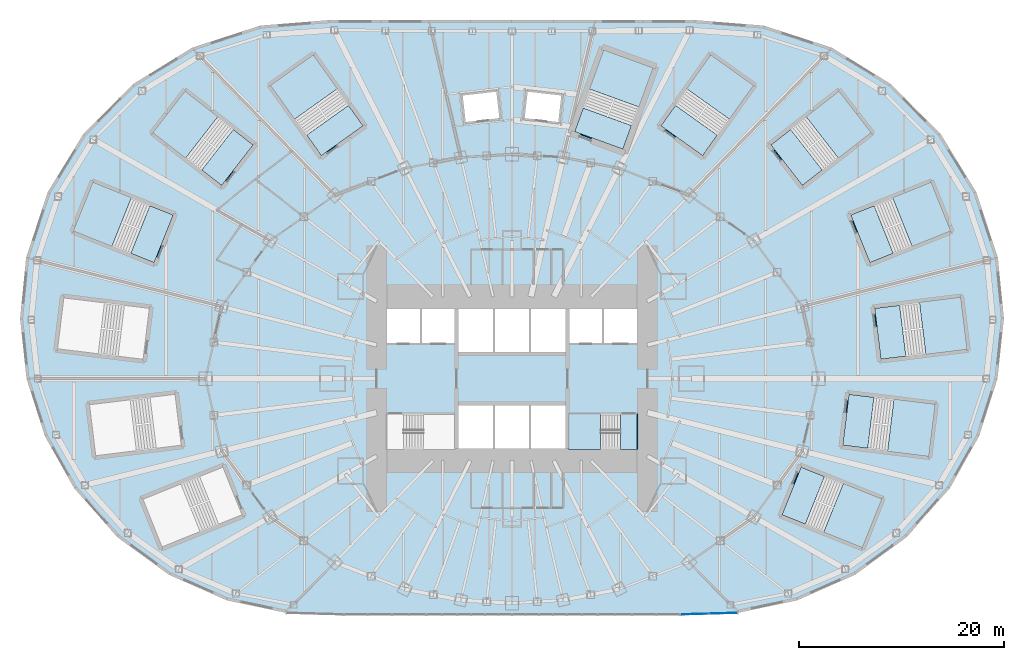
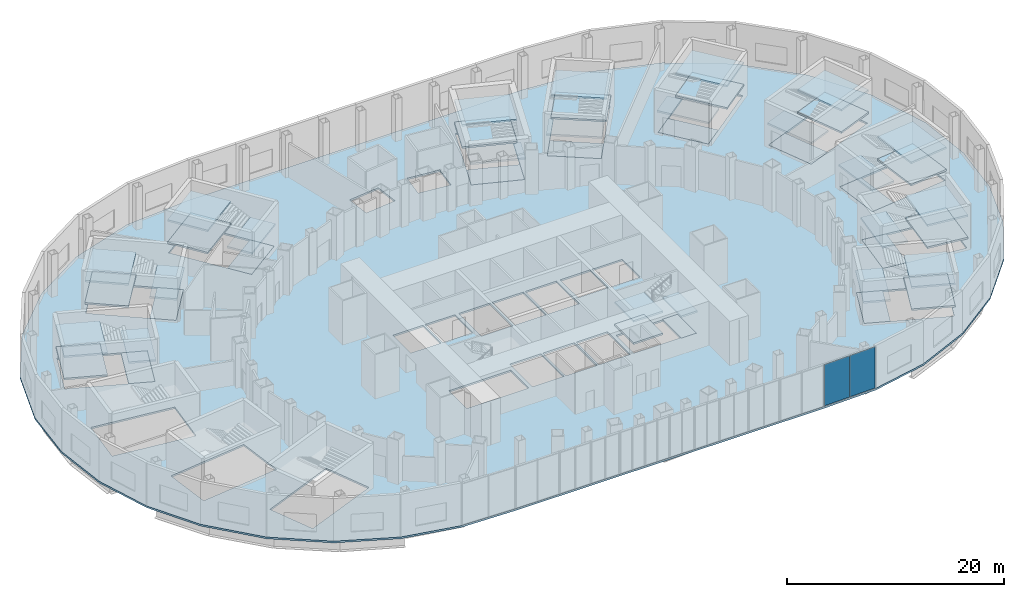
# One storey, part 12 of 73: 45 slabs, 2 plates, 12 elements without a shape of their own.
"""IFC4 building model written with IfcOpenShell, lengths in metres."""

from ifc_helpers import new_model, si_unit, direction, frame, origin, origin_2d, place, context, subcontext, project, spatial, polyline, rectangle, outline, extrude, material, layer, layer_set, type_object, element, aggregate, save


model = new_model("IFC4")

# Units and contexts
model_context = context("Model", 3, precision=1e-05, world=origin(), true_north=direction((0.0, 1.0)))
body_context = subcontext(model_context, "Body", "Model", "MODEL_VIEW")
ifc_project = project(units=[si_unit("LENGTHUNIT", "METRE"), si_unit("AREAUNIT", "SQUARE_METRE"), si_unit("VOLUMEUNIT", "CUBIC_METRE"), si_unit("PLANEANGLEUNIT", "RADIAN"), si_unit("MASSUNIT", "GRAM", prefix="KILO")], contexts=[model_context])

# Site, building, storey
site_placement = place(None, origin())
site = spatial("IfcSite", under=ifc_project, at=site_placement, CompositionType="ELEMENT")
building_placement = place(site_placement, origin())
building = spatial("IfcBuilding", under=site, at=building_placement, Name="Lantaw Convention Tower", CompositionType="ELEMENT")
storey_placement = place(building_placement, frame((0.0, 0.0, 27.0)))
storey = spatial("IfcBuildingStorey", under=building, at=storey_placement, Name="L04", CompositionType="ELEMENT", Elevation=27.0)

# Curtain wall, plates
ifc_material_1 = material(Name="Aluminium framed curtain wall", Category="aluminium")
curtain_wall_type = type_object("IfcCurtainWallType", Name="Podium storefront curtain wall, pale aluminium", PredefinedType="USERDEFINED", material=ifc_material_1)
curtain_wall_placement = place(storey_placement, origin())
curtain_wall = element("IfcCurtainWall", 1, at=curtain_wall_placement, inside=storey, type_object=curtain_wall_type, Name="Podium storefront curtain wall, pale aluminium L04", ObjectType="STOREFRONT", PredefinedType="USERDEFINED")
ifc_material_2 = material(Name="Laminated clear glass", Category="glass")
ifc_layer_1 = layer(ifc_material_2, 0.031982421875)
ifc_layer_set_1 = layer_set([ifc_layer_1], Name="CW-P panel 32")
plate_type = type_object("IfcPlateType", Name="CW-P panel 32", PredefinedType="CURTAIN_PANEL", material=ifc_layer_set_1)
plate_1_placement = place(storey_placement, frame((17.838134765625, -22.958984375, 0.080078125), z_axis=(0.0, 0.0, 1.0), x_axis=(0.99959230263, 0.028552206976, 0.0)))
plate_1 = element("IfcPlate", 2, at=plate_1_placement, type_object=plate_type, Name="CW-P panel 1.1", PredefinedType="CURTAIN_PANEL", context=body_context, shape_type="SweptSolid", body=[
    extrude(rectangle(XDim=2.705810546875, YDim=0.031982421875, at=origin_2d()), origin(), (0.0, 0.0, 1.0), 4.639892578125),
])
plate_2_placement = place(storey_placement, frame((20.622802734375, -22.879638671875, 0.080078125), z_axis=(0.0, 0.0, 1.0), x_axis=(0.99959230263, 0.028552206976, 0.0)))
plate_2 = element("IfcPlate", 3, at=plate_2_placement, type_object=plate_type, Name="CW-P panel 2.1", PredefinedType="CURTAIN_PANEL", context=body_context, shape_type="SweptSolid", body=[
    extrude(rectangle(XDim=2.705810546875, YDim=0.031982421875, at=origin_2d()), origin(), (0.0, 0.0, 1.0), 4.639892578125),
])
aggregate(curtain_wall, [plate_1, plate_2])

# Slab
ifc_material_3 = material(Name="Concrete C35/45", Category="concrete")
ifc_layer_2 = layer(ifc_material_3, 0.199951171875)
ifc_layer_set_2 = layer_set([ifc_layer_2], Name="Floor slab 200")
slab_type_1 = type_object("IfcSlabType", Name="Floor slab 200", PredefinedType="FLOOR", material=ifc_layer_set_2)
slab_1_placement = place(storey_placement, frame((0.0, 0.0, -0.199951171875)))
element("IfcSlab", 4, at=slab_1_placement, inside=storey, type_object=slab_type_1, Name="L04 floor slab", PredefinedType="FLOOR", context=body_context, shape_type="SweptSolid", body=[
    extrude(outline(polyline([(45.580322265625, -5.5966796875), (47.37255859375, 0.0), (47.999755859375, 5.8935546875), (47.409912109375, 11.820556640625), (45.313232421875, 18.190673828125), (41.819091796875, 23.896728515625), (36.97607421875, 28.756591796875), (31.2001953125, 32.308837890625), (24.578857421875, 34.458251953125), (17.83349609375, 35.0), (-17.83349609375, 35.0), (-24.578857421875, 34.458251953125), (-31.2001953125, 32.308837890625), (-36.97607421875, 28.756591796875), (-41.819091796875, 23.896728515625), (-45.313232421875, 18.190673828125), (-47.409912109375, 11.820556640625), (-47.999755859375, 5.8935546875), (-47.37255859375, 0.0), (-45.580322265625, -5.5966796875), (-42.73974609375, -10.65625), (-38.50732421875, -15.45849609375), (-33.4755859375, -19.12890625), (-27.811279296875, -21.62890625), (-22.054931640625, -22.838623046875), (-16.40576171875, -23.0), (16.40576171875, -23.0), (22.054931640625, -22.838623046875), (27.811279296875, -21.62890625), (33.4755859375, -19.12890625), (38.50732421875, -15.458251953125), (42.73974609375, -10.65625), (45.580322265625, -5.5966796875)]), holes=[polyline([(-36.005126953125, -11.760009765625), (-34.142333984375, -16.400146484375), (-26.346923828125, -13.270751953125), (-28.209716796875, -8.630615234375), (-36.005126953125, -11.760009765625)]), polyline([(-12.199951171875, -6.800048828125), (-5.60009765625, -6.800048828125), (-5.60009765625, -3.5), (-12.199951171875, -3.5), (-12.199951171875, -6.800048828125)]), polyline([(-5.199951171875, -6.800048828125), (-1.86669921875, -6.800048828125), (-1.86669921875, -2.60009765625), (-5.199951171875, -2.60009765625), (-5.199951171875, -6.800048828125)]), polyline([(1.666748046875, -6.800048828125), (1.666748046875, -2.60009765625), (-1.666748046875, -2.60009765625), (-1.666748046875, -6.800048828125), (1.666748046875, -6.800048828125)]), polyline([(-32.8828125, -1.518798828125), (-41.22021484375, -2.54248046875), (-40.61083984375, -7.505126953125), (-32.2734375, -6.4814453125), (-32.8828125, -1.518798828125)]), polyline([(-5.199951171875, 2.60009765625), (-1.86669921875, 2.60009765625), (-1.86669921875, 6.800048828125), (-5.199951171875, 6.800048828125), (-5.199951171875, 2.60009765625)]), polyline([(1.666748046875, 2.60009765625), (1.666748046875, 6.800048828125), (-1.666748046875, 6.800048828125), (-1.666748046875, 2.60009765625), (1.666748046875, 2.60009765625)]), polyline([(-35.387451171875, 6.86376953125), (-43.724853515625, 7.887451171875), (-44.334228515625, 2.9248046875), (-35.996826171875, 1.901123046875), (-35.387451171875, 6.86376953125)]), polyline([(-12.199951171875, 3.5), (-9.0, 3.5), (-9.0, 6.800048828125), (-12.199951171875, 6.800048828125), (-12.199951171875, 3.5)]), polyline([(-8.800048828125, 3.5), (-5.60009765625, 3.5), (-5.60009765625, 6.800048828125), (-8.800048828125, 6.800048828125), (-8.800048828125, 3.5)]), polyline([(-33.06005859375, 15.965576171875), (-40.85546875, 19.094970703125), (-42.71826171875, 14.454833984375), (-34.9228515625, 11.325439453125), (-33.06005859375, 15.965576171875)]), polyline([(-25.25830078125, 22.810546875), (-31.88916015625, 27.967529296875), (-34.95849609375, 24.0205078125), (-28.327880859375, 18.86376953125), (-25.25830078125, 22.810546875)]), polyline([(-1.236083984375, 25.423583984375), (-1.5302734375, 28.0068359375), (-4.80908203125, 27.63330078125), (-4.5146484375, 25.050048828125), (-1.236083984375, 25.423583984375)]), polyline([(-19.40771484375, 31.513916015625), (-23.478271484375, 28.6103515625), (-18.6005859375, 21.771728515625), (-14.52978515625, 24.67529296875), (-19.40771484375, 31.513916015625)]), polyline([(26.34716796875, -13.270751953125), (34.142333984375, -16.39990234375), (36.005126953125, -11.760009765625), (28.209716796875, -8.630615234375), (26.34716796875, -13.270751953125)]), polyline([(5.60009765625, -6.800048828125), (12.199951171875, -6.800048828125), (12.199951171875, -3.5), (5.60009765625, -3.5), (5.60009765625, -6.800048828125)]), polyline([(1.86669921875, -6.800048828125), (5.199951171875, -6.800048828125), (5.199951171875, -2.60009765625), (1.86669921875, -2.60009765625), (1.86669921875, -6.800048828125)]), polyline([(32.2734375, -6.4814453125), (40.61083984375, -7.505126953125), (41.22021484375, -2.54248046875), (32.8828125, -1.518798828125), (32.2734375, -6.4814453125)]), polyline([(1.86669921875, 2.60009765625), (5.199951171875, 2.60009765625), (5.199951171875, 6.800048828125), (1.86669921875, 6.800048828125), (1.86669921875, 2.60009765625)]), polyline([(35.996826171875, 1.901123046875), (44.334228515625, 2.9248046875), (43.724853515625, 7.887451171875), (35.387451171875, 6.86376953125), (35.996826171875, 1.901123046875)]), polyline([(8.800048828125, 3.5), (8.800048828125, 6.800048828125), (5.60009765625, 6.800048828125), (5.60009765625, 3.5), (8.800048828125, 3.5)]), polyline([(9.0, 3.5), (12.199951171875, 3.5), (12.199951171875, 6.800048828125), (9.0, 6.800048828125), (9.0, 3.5)]), polyline([(34.9228515625, 11.325439453125), (42.71826171875, 14.454833984375), (40.85546875, 19.094970703125), (33.06005859375, 15.965576171875), (34.9228515625, 11.325439453125)]), polyline([(28.327880859375, 18.86376953125), (34.95849609375, 24.0205078125), (31.88916015625, 27.967529296875), (25.25830078125, 22.810546875), (28.327880859375, 18.86376953125)]), polyline([(4.5146484375, 25.050048828125), (4.80908203125, 27.63330078125), (1.5302734375, 28.0068359375), (1.236083984375, 25.423583984375), (4.5146484375, 25.050048828125)]), polyline([(18.6005859375, 21.771728515625), (23.478271484375, 28.6103515625), (19.40771484375, 31.513916015625), (14.52978515625, 24.67529296875), (18.6005859375, 21.771728515625)]), polyline([(10.81298828125, 22.398681640625), (13.685791015625, 30.292236328125), (8.987548828125, 32.002197265625), (6.114501953125, 24.10888671875), (10.81298828125, 22.398681640625)])]), origin(), (0.0, 0.0, 1.0), 0.199951171875),
])

# Stair, slabs
stair_type_1 = type_object("IfcStairType", Name="Exit stair 1500 riser 156.25 in 4 flights", PredefinedType="HALF_TURN_STAIR", material=ifc_material_3)
stair_1_placement = place(storey_placement, origin())
stair_1 = element("IfcStair", 5, at=stair_1_placement, inside=storey, type_object=stair_type_1, Name="Exit stair S2 L04", PredefinedType="HALF_TURN_STAIR")
ifc_layer_3 = layer(ifc_material_3, 0.199951171875)
ifc_layer_set_3 = layer_set([ifc_layer_3], Name="Stair landing 200")
slab_type_2 = type_object("IfcSlabType", Name="Stair landing 200", PredefinedType="LANDING", material=ifc_layer_set_3)
slab_2_placement = place(storey_placement, frame((0.0, 0.0, -0.199951171875)))
slab_2 = element("IfcSlab", 6, at=slab_2_placement, type_object=slab_type_2, Name="S2 landing 1", PredefinedType="LANDING", context=body_context, shape_type="SweptSolid", body=[
    extrude(outline(polyline([(10.580078125, -6.89990234375), (12.199951171875, -6.89990234375), (12.199951171875, -3.39990234375), (10.580078125, -3.39990234375), (10.580078125, -6.89990234375)])), origin(), (0.0, 0.0, 1.0), 0.199951171875),
])
slab_3_placement = place(storey_placement, frame((0.0, 0.0, 1.050048828125)))
slab_3 = element("IfcSlab", 7, at=slab_3_placement, type_object=slab_type_2, Name="S2 landing 2", PredefinedType="LANDING", context=body_context, shape_type="SweptSolid", body=[
    extrude(outline(polyline([(5.5, -6.89990234375), (8.6201171875, -6.89990234375), (8.6201171875, -3.39990234375), (5.5, -3.39990234375), (5.5, -6.89990234375)])), origin(), (0.0, 0.0, 1.0), 0.199951171875),
])
slab_4_placement = place(storey_placement, frame((0.0, 0.0, 2.300048828125)))
slab_4 = element("IfcSlab", 8, at=slab_4_placement, type_object=slab_type_2, Name="S2 landing 3", PredefinedType="LANDING", context=body_context, shape_type="SweptSolid", body=[
    extrude(outline(polyline([(10.580078125, -6.89990234375), (12.300048828125, -6.89990234375), (12.300048828125, -3.39990234375), (10.580078125, -3.39990234375), (10.580078125, -6.89990234375)])), origin(), (0.0, 0.0, 1.0), 0.199951171875),
])
slab_5_placement = place(storey_placement, frame((0.0, 0.0, 3.550048828125)))
slab_5 = element("IfcSlab", 9, at=slab_5_placement, type_object=slab_type_2, Name="S2 landing 4", PredefinedType="LANDING", context=body_context, shape_type="SweptSolid", body=[
    extrude(outline(polyline([(5.5, -6.89990234375), (8.6201171875, -6.89990234375), (8.6201171875, -3.39990234375), (5.5, -3.39990234375), (5.5, -6.89990234375)])), origin(), (0.0, 0.0, 1.0), 0.199951171875),
])
aggregate(stair_1, [slab_2, slab_3, slab_4, slab_5])

stair_type_2 = type_object("IfcStairType", Name="Exit stair 2400 riser 156.25 in 4 flights", PredefinedType="HALF_TURN_STAIR", material=ifc_material_3)
stair_2_placement = place(storey_placement, origin())
stair_2 = element("IfcStair", 10, at=stair_2_placement, inside=storey, type_object=stair_type_2, Name="Podium exit stair P1 L04", PredefinedType="HALF_TURN_STAIR")
slab_6_placement = place(storey_placement, frame((0.0, 0.0, -0.199951171875)))
slab_6 = element("IfcSlab", 11, at=slab_6_placement, type_object=slab_type_2, Name="P1 landing 1", PredefinedType="LANDING", context=body_context, shape_type="SweptSolid", body=[
    extrude(outline(polyline([(35.996826171875, 1.901123046875), (38.4306640625, 2.199951171875), (37.8212890625, 7.16259765625), (35.387451171875, 6.86376953125), (35.996826171875, 1.901123046875)])), origin(), (0.0, 0.0, 1.0), 0.199951171875),
])
slab_7_placement = place(storey_placement, frame((0.0, 0.0, 1.050048828125)))
slab_7 = element("IfcSlab", 12, at=slab_7_placement, type_object=slab_type_2, Name="P1 landing 2", PredefinedType="LANDING", context=body_context, shape_type="SweptSolid", body=[
    extrude(outline(polyline([(40.3818359375, 2.35888671875), (44.42333984375, 2.855224609375), (43.794677734375, 7.9765625), (39.7529296875, 7.48046875), (40.3818359375, 2.35888671875)])), origin(), (0.0, 0.0, 1.0), 0.199951171875),
])
slab_8_placement = place(storey_placement, frame((0.0, 0.0, 2.300048828125)))
slab_8 = element("IfcSlab", 13, at=slab_8_placement, type_object=slab_type_2, Name="P1 landing 3", PredefinedType="LANDING", context=body_context, shape_type="SweptSolid", body=[
    extrude(outline(polyline([(35.92724609375, 1.81201171875), (38.4404296875, 2.12060546875), (37.8115234375, 7.241943359375), (35.29833984375, 6.93359375), (35.92724609375, 1.81201171875)])), origin(), (0.0, 0.0, 1.0), 0.199951171875),
])
slab_9_placement = place(storey_placement, frame((0.0, 0.0, 3.550048828125)))
slab_9 = element("IfcSlab", 14, at=slab_9_placement, type_object=slab_type_2, Name="P1 landing 4", PredefinedType="LANDING", context=body_context, shape_type="SweptSolid", body=[
    extrude(outline(polyline([(40.3818359375, 2.35888671875), (44.42333984375, 2.855224609375), (43.794677734375, 7.9765625), (39.7529296875, 7.48046875), (40.3818359375, 2.35888671875)])), origin(), (0.0, 0.0, 1.0), 0.199951171875),
])
aggregate(stair_2, [slab_6, slab_7, slab_8, slab_9])

stair_3_placement = place(storey_placement, origin())
stair_3 = element("IfcStair", 15, at=stair_3_placement, inside=storey, type_object=stair_type_2, Name="Podium exit stair P2 L04", PredefinedType="HALF_TURN_STAIR")
slab_10_placement = place(storey_placement, frame((0.0, 0.0, -0.199951171875)))
slab_10 = element("IfcSlab", 16, at=slab_10_placement, type_object=slab_type_2, Name="P2 landing 1", PredefinedType="LANDING", context=body_context, shape_type="SweptSolid", body=[
    extrude(outline(polyline([(34.9228515625, 11.325439453125), (37.198486328125, 12.239013671875), (35.335693359375, 16.879150390625), (33.06005859375, 15.965576171875), (34.9228515625, 11.325439453125)])), origin(), (0.0, 0.0, 1.0), 0.199951171875),
])
slab_11_placement = place(storey_placement, frame((0.0, 0.0, 1.050048828125)))
slab_11 = element("IfcSlab", 17, at=slab_11_placement, type_object=slab_type_2, Name="P2 landing 2", PredefinedType="LANDING", context=body_context, shape_type="SweptSolid", body=[
    extrude(outline(polyline([(39.04345703125, 12.8935546875), (42.822265625, 14.410400390625), (40.89990234375, 19.198974609375), (37.12109375, 17.681884765625), (39.04345703125, 12.8935546875)])), origin(), (0.0, 0.0, 1.0), 0.199951171875),
])
slab_12_placement = place(storey_placement, frame((0.0, 0.0, 2.300048828125)))
slab_12 = element("IfcSlab", 18, at=slab_12_placement, type_object=slab_type_2, Name="P2 landing 3", PredefinedType="LANDING", context=body_context, shape_type="SweptSolid", body=[
    extrude(outline(polyline([(34.87841796875, 11.221435546875), (37.228271484375, 12.164794921875), (35.305908203125, 16.953369140625), (32.9560546875, 16.010009765625), (34.87841796875, 11.221435546875)])), origin(), (0.0, 0.0, 1.0), 0.199951171875),
])
slab_13_placement = place(storey_placement, frame((0.0, 0.0, 3.550048828125)))
slab_13 = element("IfcSlab", 19, at=slab_13_placement, type_object=slab_type_2, Name="P2 landing 4", PredefinedType="LANDING", context=body_context, shape_type="SweptSolid", body=[
    extrude(outline(polyline([(39.04345703125, 12.8935546875), (42.822265625, 14.410400390625), (40.89990234375, 19.198974609375), (37.12109375, 17.681884765625), (39.04345703125, 12.8935546875)])), origin(), (0.0, 0.0, 1.0), 0.199951171875),
])
aggregate(stair_3, [slab_10, slab_11, slab_12, slab_13])

stair_4_placement = place(storey_placement, origin())
stair_4 = element("IfcStair", 20, at=stair_4_placement, inside=storey, type_object=stair_type_2, Name="Podium exit stair P3 L04", PredefinedType="HALF_TURN_STAIR")
slab_14_placement = place(storey_placement, frame((0.0, 0.0, -0.199951171875)))
slab_14 = element("IfcSlab", 21, at=slab_14_placement, type_object=slab_type_2, Name="P3 landing 1", PredefinedType="LANDING", context=body_context, shape_type="SweptSolid", body=[
    extrude(outline(polyline([(28.327880859375, 18.86376953125), (30.263427734375, 20.369140625), (27.19384765625, 24.31591796875), (25.25830078125, 22.810546875), (28.327880859375, 18.86376953125)])), origin(), (0.0, 0.0, 1.0), 0.199951171875),
])
slab_15_placement = place(storey_placement, frame((0.0, 0.0, 1.050048828125)))
slab_15 = element("IfcSlab", 22, at=slab_15_placement, type_object=slab_type_2, Name="P3 landing 2", PredefinedType="LANDING", context=body_context, shape_type="SweptSolid", body=[
    extrude(outline(polyline([(31.8564453125, 21.506591796875), (35.07080078125, 24.006591796875), (31.903076171875, 28.07958984375), (28.688720703125, 25.579833984375), (31.8564453125, 21.506591796875)])), origin(), (0.0, 0.0, 1.0), 0.199951171875),
])
slab_16_placement = place(storey_placement, frame((0.0, 0.0, 2.300048828125)))
slab_16 = element("IfcSlab", 23, at=slab_16_placement, type_object=slab_type_2, Name="P3 landing 3", PredefinedType="LANDING", context=body_context, shape_type="SweptSolid", body=[
    extrude(outline(polyline([(28.313720703125, 18.75146484375), (30.3125, 20.305908203125), (27.144775390625, 24.379150390625), (25.14599609375, 22.82470703125), (28.313720703125, 18.75146484375)])), origin(), (0.0, 0.0, 1.0), 0.199951171875),
])
slab_17_placement = place(storey_placement, frame((0.0, 0.0, 3.550048828125)))
slab_17 = element("IfcSlab", 24, at=slab_17_placement, type_object=slab_type_2, Name="P3 landing 4", PredefinedType="LANDING", context=body_context, shape_type="SweptSolid", body=[
    extrude(outline(polyline([(31.8564453125, 21.506591796875), (35.07080078125, 24.006591796875), (31.903076171875, 28.07958984375), (28.688720703125, 25.579833984375), (31.8564453125, 21.506591796875)])), origin(), (0.0, 0.0, 1.0), 0.199951171875),
])
aggregate(stair_4, [slab_14, slab_15, slab_16, slab_17])

stair_5_placement = place(storey_placement, origin())
stair_5 = element("IfcStair", 25, at=stair_5_placement, inside=storey, type_object=stair_type_2, Name="Podium exit stair P4 L04", PredefinedType="HALF_TURN_STAIR")
slab_18_placement = place(storey_placement, frame((0.0, 0.0, -0.199951171875)))
slab_18 = element("IfcSlab", 26, at=slab_18_placement, type_object=slab_type_2, Name="P4 landing 1", PredefinedType="LANDING", context=body_context, shape_type="SweptSolid", body=[
    extrude(outline(polyline([(18.6005859375, 21.771728515625), (20.0244140625, 23.76806640625), (15.953857421875, 26.67138671875), (14.52978515625, 24.67529296875), (18.6005859375, 21.771728515625)])), origin(), (0.0, 0.0, 1.0), 0.199951171875),
])
slab_19_placement = place(storey_placement, frame((0.0, 0.0, 1.050048828125)))
slab_19 = element("IfcSlab", 27, at=slab_19_placement, type_object=slab_type_2, Name="P4 landing 2", PredefinedType="LANDING", context=body_context, shape_type="SweptSolid", body=[
    extrude(outline(polyline([(21.225341796875, 25.31396484375), (23.58984375, 28.62890625), (19.38916015625, 31.62548828125), (17.0244140625, 28.310302734375), (21.225341796875, 25.31396484375)])), origin(), (0.0, 0.0, 1.0), 0.199951171875),
])
slab_20_placement = place(storey_placement, frame((0.0, 0.0, 2.300048828125)))
slab_20 = element("IfcSlab", 28, at=slab_20_placement, type_object=slab_type_2, Name="P4 landing 3", PredefinedType="LANDING", context=body_context, shape_type="SweptSolid", body=[
    extrude(outline(polyline([(18.619140625, 21.66015625), (20.089599609375, 23.721435546875), (15.888671875, 26.718017578125), (14.418212890625, 24.656494140625), (18.619140625, 21.66015625)])), origin(), (0.0, 0.0, 1.0), 0.199951171875),
])
slab_21_placement = place(storey_placement, frame((0.0, 0.0, 3.550048828125)))
slab_21 = element("IfcSlab", 29, at=slab_21_placement, type_object=slab_type_2, Name="P4 landing 4", PredefinedType="LANDING", context=body_context, shape_type="SweptSolid", body=[
    extrude(outline(polyline([(21.225341796875, 25.31396484375), (23.58984375, 28.62890625), (19.38916015625, 31.62548828125), (17.0244140625, 28.310302734375), (21.225341796875, 25.31396484375)])), origin(), (0.0, 0.0, 1.0), 0.199951171875),
])
aggregate(stair_5, [slab_18, slab_19, slab_20, slab_21])

stair_6_placement = place(storey_placement, origin())
stair_6 = element("IfcStair", 30, at=stair_6_placement, inside=storey, type_object=stair_type_2, Name="Podium exit stair P5 L04", PredefinedType="HALF_TURN_STAIR")
slab_22_placement = place(storey_placement, frame((0.0, 0.0, -0.199951171875)))
slab_22 = element("IfcSlab", 31, at=slab_22_placement, type_object=slab_type_2, Name="P5 landing 1", PredefinedType="LANDING", context=body_context, shape_type="SweptSolid", body=[
    extrude(outline(polyline([(10.81298828125, 22.398681640625), (11.651611328125, 24.702880859375), (6.953125, 26.4130859375), (6.114501953125, 24.10888671875), (10.81298828125, 22.398681640625)])), origin(), (0.0, 0.0, 1.0), 0.199951171875),
])
slab_23_placement = place(storey_placement, frame((0.0, 0.0, 1.050048828125)))
slab_23 = element("IfcSlab", 32, at=slab_23_placement, type_object=slab_type_2, Name="P5 landing 2", PredefinedType="LANDING", context=body_context, shape_type="SweptSolid", body=[
    extrude(outline(polyline([(12.395751953125, 26.513671875), (13.788330078125, 30.340087890625), (8.939697265625, 32.104736328125), (7.546875, 28.2783203125), (12.395751953125, 26.513671875)])), origin(), (0.0, 0.0, 1.0), 0.199951171875),
])
slab_24_placement = place(storey_placement, frame((0.0, 0.0, 2.300048828125)))
slab_24 = element("IfcSlab", 33, at=slab_24_placement, type_object=slab_type_2, Name="P5 landing 3", PredefinedType="LANDING", context=body_context, shape_type="SweptSolid", body=[
    extrude(outline(polyline([(10.86083984375, 22.296142578125), (11.726806640625, 24.675537109375), (6.8779296875, 26.4404296875), (6.011962890625, 24.06103515625), (10.86083984375, 22.296142578125)])), origin(), (0.0, 0.0, 1.0), 0.199951171875),
])
slab_25_placement = place(storey_placement, frame((0.0, 0.0, 3.550048828125)))
slab_25 = element("IfcSlab", 34, at=slab_25_placement, type_object=slab_type_2, Name="P5 landing 4", PredefinedType="LANDING", context=body_context, shape_type="SweptSolid", body=[
    extrude(outline(polyline([(12.395751953125, 26.513671875), (13.788330078125, 30.340087890625), (8.939697265625, 32.104736328125), (7.546875, 28.2783203125), (12.395751953125, 26.513671875)])), origin(), (0.0, 0.0, 1.0), 0.199951171875),
])
aggregate(stair_6, [slab_22, slab_23, slab_24, slab_25])

stair_7_placement = place(storey_placement, origin())
stair_7 = element("IfcStair", 35, at=stair_7_placement, inside=storey, type_object=stair_type_2, Name="Podium exit stair P6 L04", PredefinedType="HALF_TURN_STAIR")
slab_26_placement = place(storey_placement, frame((0.0, 0.0, -0.199951171875)))
slab_26 = element("IfcSlab", 36, at=slab_26_placement, type_object=slab_type_2, Name="P6 landing 1", PredefinedType="LANDING", context=body_context, shape_type="SweptSolid", body=[
    extrude(outline(polyline([(-14.52978515625, 24.67529296875), (-15.953857421875, 26.67138671875), (-20.0244140625, 23.76806640625), (-18.6005859375, 21.771728515625), (-14.52978515625, 24.67529296875)])), origin(), (0.0, 0.0, 1.0), 0.199951171875),
])
slab_27_placement = place(storey_placement, frame((0.0, 0.0, 1.050048828125)))
slab_27 = element("IfcSlab", 37, at=slab_27_placement, type_object=slab_type_2, Name="P6 landing 2", PredefinedType="LANDING", context=body_context, shape_type="SweptSolid", body=[
    extrude(outline(polyline([(-17.0244140625, 28.310302734375), (-19.38916015625, 31.62548828125), (-23.58984375, 28.62890625), (-21.225341796875, 25.31396484375), (-17.0244140625, 28.310302734375)])), origin(), (0.0, 0.0, 1.0), 0.199951171875),
])
slab_28_placement = place(storey_placement, frame((0.0, 0.0, 2.300048828125)))
slab_28 = element("IfcSlab", 38, at=slab_28_placement, type_object=slab_type_2, Name="P6 landing 3", PredefinedType="LANDING", context=body_context, shape_type="SweptSolid", body=[
    extrude(outline(polyline([(-14.418212890625, 24.656494140625), (-15.888671875, 26.718017578125), (-20.089599609375, 23.721435546875), (-18.619140625, 21.66015625), (-14.418212890625, 24.656494140625)])), origin(), (0.0, 0.0, 1.0), 0.199951171875),
])
slab_29_placement = place(storey_placement, frame((0.0, 0.0, 3.550048828125)))
slab_29 = element("IfcSlab", 39, at=slab_29_placement, type_object=slab_type_2, Name="P6 landing 4", PredefinedType="LANDING", context=body_context, shape_type="SweptSolid", body=[
    extrude(outline(polyline([(-17.0244140625, 28.310302734375), (-19.38916015625, 31.62548828125), (-23.58984375, 28.62890625), (-21.225341796875, 25.31396484375), (-17.0244140625, 28.310302734375)])), origin(), (0.0, 0.0, 1.0), 0.199951171875),
])
aggregate(stair_7, [slab_26, slab_27, slab_28, slab_29])

stair_8_placement = place(storey_placement, origin())
stair_8 = element("IfcStair", 40, at=stair_8_placement, inside=storey, type_object=stair_type_2, Name="Podium exit stair P7 L04", PredefinedType="HALF_TURN_STAIR")
slab_30_placement = place(storey_placement, frame((0.0, 0.0, -0.199951171875)))
slab_30 = element("IfcSlab", 41, at=slab_30_placement, type_object=slab_type_2, Name="P7 landing 1", PredefinedType="LANDING", context=body_context, shape_type="SweptSolid", body=[
    extrude(outline(polyline([(-25.25830078125, 22.810546875), (-27.19384765625, 24.31591796875), (-30.263427734375, 20.369140625), (-28.327880859375, 18.86376953125), (-25.25830078125, 22.810546875)])), origin(), (0.0, 0.0, 1.0), 0.199951171875),
])
slab_31_placement = place(storey_placement, frame((0.0, 0.0, 1.050048828125)))
slab_31 = element("IfcSlab", 42, at=slab_31_placement, type_object=slab_type_2, Name="P7 landing 2", PredefinedType="LANDING", context=body_context, shape_type="SweptSolid", body=[
    extrude(outline(polyline([(-28.688720703125, 25.579833984375), (-31.903076171875, 28.07958984375), (-35.07080078125, 24.006591796875), (-31.8564453125, 21.506591796875), (-28.688720703125, 25.579833984375)])), origin(), (0.0, 0.0, 1.0), 0.199951171875),
])
slab_32_placement = place(storey_placement, frame((0.0, 0.0, 2.300048828125)))
slab_32 = element("IfcSlab", 43, at=slab_32_placement, type_object=slab_type_2, Name="P7 landing 3", PredefinedType="LANDING", context=body_context, shape_type="SweptSolid", body=[
    extrude(outline(polyline([(-25.14599609375, 22.82470703125), (-27.144775390625, 24.379150390625), (-30.3125, 20.305908203125), (-28.313720703125, 18.75146484375), (-25.14599609375, 22.82470703125)])), origin(), (0.0, 0.0, 1.0), 0.199951171875),
])
slab_33_placement = place(storey_placement, frame((0.0, 0.0, 3.550048828125)))
slab_33 = element("IfcSlab", 44, at=slab_33_placement, type_object=slab_type_2, Name="P7 landing 4", PredefinedType="LANDING", context=body_context, shape_type="SweptSolid", body=[
    extrude(outline(polyline([(-28.688720703125, 25.579833984375), (-31.903076171875, 28.07958984375), (-35.07080078125, 24.006591796875), (-31.8564453125, 21.506591796875), (-28.688720703125, 25.579833984375)])), origin(), (0.0, 0.0, 1.0), 0.199951171875),
])
aggregate(stair_8, [slab_30, slab_31, slab_32, slab_33])

stair_9_placement = place(storey_placement, origin())
stair_9 = element("IfcStair", 45, at=stair_9_placement, inside=storey, type_object=stair_type_2, Name="Podium exit stair P8 L04", PredefinedType="HALF_TURN_STAIR")
slab_34_placement = place(storey_placement, frame((0.0, 0.0, -0.199951171875)))
slab_34 = element("IfcSlab", 46, at=slab_34_placement, type_object=slab_type_2, Name="P8 landing 1", PredefinedType="LANDING", context=body_context, shape_type="SweptSolid", body=[
    extrude(outline(polyline([(-33.06005859375, 15.965576171875), (-35.335693359375, 16.879150390625), (-37.198486328125, 12.239013671875), (-34.9228515625, 11.325439453125), (-33.06005859375, 15.965576171875)])), origin(), (0.0, 0.0, 1.0), 0.199951171875),
])
slab_35_placement = place(storey_placement, frame((0.0, 0.0, 1.050048828125)))
slab_35 = element("IfcSlab", 47, at=slab_35_placement, type_object=slab_type_2, Name="P8 landing 2", PredefinedType="LANDING", context=body_context, shape_type="SweptSolid", body=[
    extrude(outline(polyline([(-37.12109375, 17.681884765625), (-40.89990234375, 19.198974609375), (-42.822265625, 14.410400390625), (-39.04345703125, 12.8935546875), (-37.12109375, 17.681884765625)])), origin(), (0.0, 0.0, 1.0), 0.199951171875),
])
slab_36_placement = place(storey_placement, frame((0.0, 0.0, 2.300048828125)))
slab_36 = element("IfcSlab", 48, at=slab_36_placement, type_object=slab_type_2, Name="P8 landing 3", PredefinedType="LANDING", context=body_context, shape_type="SweptSolid", body=[
    extrude(outline(polyline([(-32.9560546875, 16.010009765625), (-35.305908203125, 16.953369140625), (-37.228271484375, 12.164794921875), (-34.87841796875, 11.221435546875), (-32.9560546875, 16.010009765625)])), origin(), (0.0, 0.0, 1.0), 0.199951171875),
])
slab_37_placement = place(storey_placement, frame((0.0, 0.0, 3.550048828125)))
slab_37 = element("IfcSlab", 49, at=slab_37_placement, type_object=slab_type_2, Name="P8 landing 4", PredefinedType="LANDING", context=body_context, shape_type="SweptSolid", body=[
    extrude(outline(polyline([(-37.12109375, 17.681884765625), (-40.89990234375, 19.198974609375), (-42.822265625, 14.410400390625), (-39.04345703125, 12.8935546875), (-37.12109375, 17.681884765625)])), origin(), (0.0, 0.0, 1.0), 0.199951171875),
])
aggregate(stair_9, [slab_34, slab_35, slab_36, slab_37])

stair_10_placement = place(storey_placement, origin())
stair_10 = element("IfcStair", 50, at=stair_10_placement, inside=storey, type_object=stair_type_2, Name="Podium exit stair P12 L04", PredefinedType="HALF_TURN_STAIR")
slab_38_placement = place(storey_placement, frame((0.0, 0.0, -0.199951171875)))
slab_38 = element("IfcSlab", 51, at=slab_38_placement, type_object=slab_type_2, Name="P12 landing 1", PredefinedType="LANDING", context=body_context, shape_type="SweptSolid", body=[
    extrude(outline(polyline([(26.34716796875, -13.270751953125), (28.62255859375, -14.18408203125), (30.4853515625, -9.5439453125), (28.209716796875, -8.630615234375), (26.34716796875, -13.270751953125)])), origin(), (0.0, 0.0, 1.0), 0.199951171875),
])
slab_39_placement = place(storey_placement, frame((0.0, 0.0, 1.050048828125)))
slab_39 = element("IfcSlab", 52, at=slab_39_placement, type_object=slab_type_2, Name="P12 landing 2", PredefinedType="LANDING", context=body_context, shape_type="SweptSolid", body=[
    extrude(outline(polyline([(30.407958984375, -14.987060546875), (34.186767578125, -16.50390625), (36.109130859375, -11.715576171875), (32.330322265625, -10.198486328125), (30.407958984375, -14.987060546875)])), origin(), (0.0, 0.0, 1.0), 0.199951171875),
])
slab_40_placement = place(storey_placement, frame((0.0, 0.0, 2.300048828125)))
slab_40 = element("IfcSlab", 53, at=slab_40_placement, type_object=slab_type_2, Name="P12 landing 3", PredefinedType="LANDING", context=body_context, shape_type="SweptSolid", body=[
    extrude(outline(polyline([(26.242919921875, -13.315185546875), (28.5927734375, -14.25830078125), (30.51513671875, -9.4697265625), (28.165283203125, -8.526611328125), (26.242919921875, -13.315185546875)])), origin(), (0.0, 0.0, 1.0), 0.199951171875),
])
slab_41_placement = place(storey_placement, frame((0.0, 0.0, 3.550048828125)))
slab_41 = element("IfcSlab", 54, at=slab_41_placement, type_object=slab_type_2, Name="P12 landing 4", PredefinedType="LANDING", context=body_context, shape_type="SweptSolid", body=[
    extrude(outline(polyline([(30.407958984375, -14.987060546875), (34.186767578125, -16.50390625), (36.109130859375, -11.715576171875), (32.330322265625, -10.198486328125), (30.407958984375, -14.987060546875)])), origin(), (0.0, 0.0, 1.0), 0.199951171875),
])
aggregate(stair_10, [slab_38, slab_39, slab_40, slab_41])

stair_11_placement = place(storey_placement, origin())
stair_11 = element("IfcStair", 55, at=stair_11_placement, inside=storey, type_object=stair_type_2, Name="Podium exit stair P13 L04", PredefinedType="HALF_TURN_STAIR")
slab_42_placement = place(storey_placement, frame((0.0, 0.0, -0.199951171875)))
slab_42 = element("IfcSlab", 56, at=slab_42_placement, type_object=slab_type_2, Name="P13 landing 1", PredefinedType="LANDING", context=body_context, shape_type="SweptSolid", body=[
    extrude(outline(polyline([(32.2734375, -6.4814453125), (34.70703125, -6.7802734375), (35.31640625, -1.817626953125), (32.8828125, -1.518798828125), (32.2734375, -6.4814453125)])), origin(), (0.0, 0.0, 1.0), 0.199951171875),
])
slab_43_placement = place(storey_placement, frame((0.0, 0.0, 1.050048828125)))
slab_43 = element("IfcSlab", 57, at=slab_43_placement, type_object=slab_type_2, Name="P13 landing 2", PredefinedType="LANDING", context=body_context, shape_type="SweptSolid", body=[
    extrude(outline(polyline([(36.638916015625, -7.09814453125), (40.680419921875, -7.59423828125), (41.309326171875, -2.47265625), (37.267578125, -1.9765625), (36.638916015625, -7.09814453125)])), origin(), (0.0, 0.0, 1.0), 0.199951171875),
])
slab_44_placement = place(storey_placement, frame((0.0, 0.0, 2.300048828125)))
slab_44 = element("IfcSlab", 58, at=slab_44_placement, type_object=slab_type_2, Name="P13 landing 3", PredefinedType="LANDING", context=body_context, shape_type="SweptSolid", body=[
    extrude(outline(polyline([(32.184326171875, -6.551025390625), (34.697265625, -6.859619140625), (35.326171875, -1.738037109375), (32.81298828125, -1.4296875), (32.184326171875, -6.551025390625)])), origin(), (0.0, 0.0, 1.0), 0.199951171875),
])
slab_45_placement = place(storey_placement, frame((0.0, 0.0, 3.550048828125)))
slab_45 = element("IfcSlab", 59, at=slab_45_placement, type_object=slab_type_2, Name="P13 landing 4", PredefinedType="LANDING", context=body_context, shape_type="SweptSolid", body=[
    extrude(outline(polyline([(36.638916015625, -7.09814453125), (40.680419921875, -7.59423828125), (41.309326171875, -2.47265625), (37.267578125, -1.9765625), (36.638916015625, -7.09814453125)])), origin(), (0.0, 0.0, 1.0), 0.199951171875),
])
aggregate(stair_11, [slab_42, slab_43, slab_44, slab_45])

save(model, "model.ifc")
